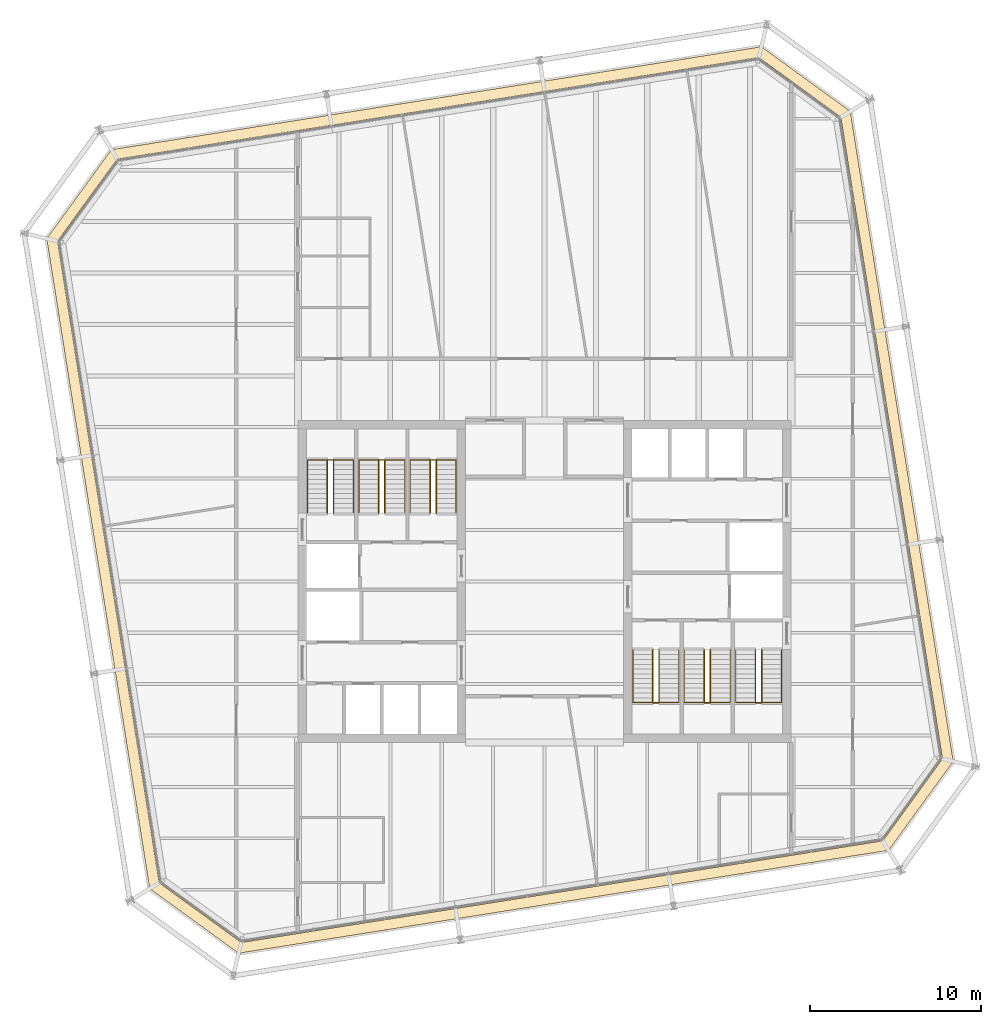
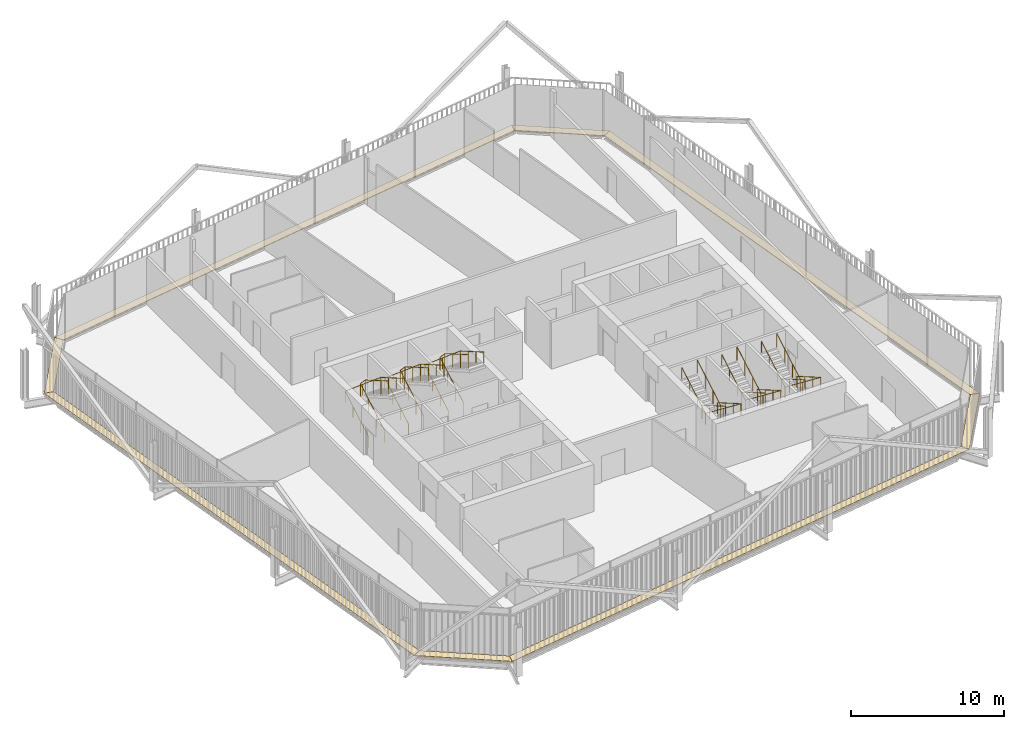
# One storey, part 21 of 21: 12 railings, 8 coverings.
"""IFC4 building model written with IfcOpenShell, lengths in metres."""

from ifc_helpers import new_model, si_unit, direction, frame, origin, origin_2d, place, context, subcontext, project, spatial, polyline, circle, outline, extrude, material, layer, layer_set, type_object, element, save


model = new_model("IFC4")

# Units and contexts
model_context = context("Model", 3, precision=1e-05, world=origin(), true_north=direction((0.0, 1.0)))
body_context = subcontext(model_context, "Body", "Model", "MODEL_VIEW")
ifc_project = project(units=[si_unit("LENGTHUNIT", "METRE"), si_unit("AREAUNIT", "SQUARE_METRE"), si_unit("VOLUMEUNIT", "CUBIC_METRE"), si_unit("PLANEANGLEUNIT", "RADIAN"), si_unit("MASSUNIT", "GRAM", prefix="KILO")], contexts=[model_context])

# Site, building, storey
site_placement = place(None, origin())
site = spatial("IfcSite", under=ifc_project, at=site_placement, CompositionType="ELEMENT")
building_placement = place(site_placement, origin())
building = spatial("IfcBuilding", under=site, at=building_placement, Name="Millrace Tower", CompositionType="ELEMENT")
storey_placement = place(building_placement, frame((0.0, 0.0, 220.300048828125)))
storey = spatial("IfcBuildingStorey", under=building, at=storey_placement, Name="L50", CompositionType="ELEMENT", Elevation=220.300048828125)

# Coverings
ifc_material_1 = material(Name="Steel ASTM A36", Category="steel")
ifc_layer = layer(ifc_material_1, 0.050048828125)
ifc_layer_set = layer_set([ifc_layer], Name="Steel ASTM A36")
covering_type = type_object("IfcCoveringType", Name="CAVITY CATWALK steel grating", PredefinedType="FLOORING", material=ifc_layer_set)
placement = place(storey_placement, frame((0.0, 0.0, 0.099853515625)))
element("IfcCovering", 1, at=placement, inside=storey, type_object=covering_type, Name="Cavity catwalk grating D-F01 L50 1", PredefinedType="FLOORING", context=body_context, shape_type="SweptSolid", body=[
    extrude(outline(polyline([(-23.052490234375, -17.939453125), (-17.85888671875, -21.712890625), (-17.707275390625, -21.081298828125), (-22.49853515625, -17.60009765625), (-23.052490234375, -17.939453125)])), origin(), (0.0, 0.0, 1.0), 0.050048828125),
])
element("IfcCovering", 2, at=placement, inside=storey, type_object=covering_type, Name="Cavity catwalk grating D-F02 L50 1", PredefinedType="FLOORING", context=body_context, shape_type="SweptSolid", body=[
    extrude(outline(polyline([(-17.85888671875, -21.712890625), (20.08935546875, -15.702392578125), (19.750244140625, -15.148681640625), (-17.707275390625, -21.081298828125), (-17.85888671875, -21.712890625)])), origin(), (0.0, 0.0, 1.0), 0.050048828125),
])
element("IfcCovering", 3, at=placement, inside=storey, type_object=covering_type, Name="Cavity catwalk grating D-F03 L50 1", PredefinedType="FLOORING", context=body_context, shape_type="SweptSolid", body=[
    extrude(outline(polyline([(20.08935546875, -15.702392578125), (23.86279296875, -10.5087890625), (23.231201171875, -10.357177734375), (19.750244140625, -15.148681640625), (20.08935546875, -15.702392578125)])), origin(), (0.0, 0.0, 1.0), 0.050048828125),
])
element("IfcCovering", 4, at=placement, inside=storey, type_object=covering_type, Name="Cavity catwalk grating D-F04 L50 1", PredefinedType="FLOORING", context=body_context, shape_type="SweptSolid", body=[
    extrude(outline(polyline([(23.86279296875, -10.5087890625), (17.852294921875, 27.439453125), (17.298583984375, 27.10009765625), (23.231201171875, -10.357177734375), (23.86279296875, -10.5087890625)])), origin(), (0.0, 0.0, 1.0), 0.050048828125),
])
element("IfcCovering", 5, at=placement, inside=storey, type_object=covering_type, Name="Cavity catwalk grating D-F05 L50 1", PredefinedType="FLOORING", context=body_context, shape_type="SweptSolid", body=[
    extrude(outline(polyline([(17.852294921875, 27.439453125), (12.658935546875, 31.212890625), (12.50732421875, 30.581298828125), (17.298583984375, 27.10009765625), (17.852294921875, 27.439453125)])), origin(), (0.0, 0.0, 1.0), 0.050048828125),
])
element("IfcCovering", 6, at=placement, inside=storey, type_object=covering_type, Name="Cavity catwalk grating D-F06 L50 1", PredefinedType="FLOORING", context=body_context, shape_type="SweptSolid", body=[
    extrude(outline(polyline([(12.658935546875, 31.212890625), (-25.28955078125, 25.202392578125), (-24.9501953125, 24.648681640625), (12.50732421875, 30.581298828125), (12.658935546875, 31.212890625)])), origin(), (0.0, 0.0, 1.0), 0.050048828125),
])
element("IfcCovering", 7, at=placement, inside=storey, type_object=covering_type, Name="Cavity catwalk grating D-F07 L50 1", PredefinedType="FLOORING", context=body_context, shape_type="SweptSolid", body=[
    extrude(outline(polyline([(-25.28955078125, 25.202392578125), (-29.062744140625, 20.0087890625), (-28.431396484375, 19.857177734375), (-24.9501953125, 24.648681640625), (-25.28955078125, 25.202392578125)])), origin(), (0.0, 0.0, 1.0), 0.050048828125),
])
element("IfcCovering", 8, at=placement, inside=storey, type_object=covering_type, Name="Cavity catwalk grating D-F08 L50 1", PredefinedType="FLOORING", context=body_context, shape_type="SweptSolid", body=[
    extrude(outline(polyline([(-29.062744140625, 20.0087890625), (-23.052490234375, -17.939453125), (-22.49853515625, -17.60009765625), (-28.431396484375, 19.857177734375), (-29.062744140625, 20.0087890625)])), origin(), (0.0, 0.0, 1.0), 0.050048828125),
])

# Railings
ifc_material_2 = material(Name="Stainless steel ASTM A240 type 316", Category="steel")
railing_type_1 = type_object("IfcRailingType", Name="Stair guard 1100", PredefinedType="GUARDRAIL", material=ifc_material_2)
for number, where, name in (
    (9, (-12.679931640625, 4.0, 0.162353515625), "Stair guard 1 W L50"),
    (10, (-9.679931640625, 4.0, 0.162353515625), "Stair guard 2 W L50"),
    (11, (-6.679931640625, 4.0, 0.162353515625), "Stair guard 3 W L50"),
):
    element("IfcRailing", number, at=place(storey_placement, frame(where)), inside=storey, type_object=railing_type_1, Name=name, PredefinedType="GUARDRAIL", context=body_context, shape_type="SweptSolid", body=[
        extrude(circle(Radius=0.02392578125, at=origin_2d()), frame((0.0, 0.0, 1.076171875), z_axis=(0.0, 0.864890721111, 0.501960198159), x_axis=(-1.0, 0.0, 0.0)), (0.0, 0.0, 1.0), 3.561279296875),
        extrude(circle(Radius=0.02392578125, at=origin_2d()), frame((0.0, 3.080078125, 2.86376953125), z_axis=(0.911295775139, 0.0, 0.411752365158), x_axis=(0.0, 1.0, 0.0)), (0.0, 0.0, 1.0), 0.394775390625),
        extrude(circle(Radius=0.02392578125, at=origin_2d()), frame((0.35986328125, 3.080078125, 3.0263671875), z_axis=(0.0, -0.864920483161, 0.501908913857), x_axis=(1.0, 0.0, 0.0)), (0.0, 0.0, 1.0), 3.56103515625),
        extrude(circle(Radius=0.02099609375, at=origin_2d()), origin(), (0.0, 0.0, 1.0), 1.052001953125),
        extrude(circle(Radius=0.02099609375, at=origin_2d()), frame((0.0, 1.026611328125, 0.595947265625)), (0.0, 0.0, 1.0), 1.052001953125),
        extrude(circle(Radius=0.02099609375, at=origin_2d()), frame((0.0, 2.053466796875, 1.191650390625)), (0.0, 0.0, 1.0), 1.052001953125),
        extrude(circle(Radius=0.02099609375, at=origin_2d()), frame((0.0, 3.080078125, 1.78759765625)), (0.0, 0.0, 1.0), 1.052001953125),
        extrude(circle(Radius=0.02099609375, at=origin_2d()), frame((0.35986328125, 3.080078125, 1.9501953125)), (0.0, 0.0, 1.0), 1.052001953125),
        extrude(circle(Radius=0.02099609375, at=origin_2d()), frame((0.35986328125, 2.053466796875, 2.5458984375)), (0.0, 0.0, 1.0), 1.052001953125),
        extrude(circle(Radius=0.02099609375, at=origin_2d()), frame((0.35986328125, 1.026611328125, 3.141845703125)), (0.0, 0.0, 1.0), 1.052001953125),
        extrude(circle(Radius=0.02099609375, at=origin_2d()), frame((0.35986328125, 0.0, 3.737548828125)), (0.0, 0.0, 1.0), 1.052001953125),
    ])
for number, where, name in (
    (12, (12.679931640625, -4.0, 0.162353515625), "Stair guard 1 E L50"),
    (13, (9.679931640625, -4.0, 0.162353515625), "Stair guard 2 E L50"),
    (14, (6.679931640625, -4.0, 0.162353515625), "Stair guard 3 E L50"),
):
    element("IfcRailing", number, at=place(storey_placement, frame(where)), inside=storey, type_object=railing_type_1, Name=name, PredefinedType="GUARDRAIL", context=body_context, shape_type="SweptSolid", body=[
        extrude(circle(Radius=0.02392578125, at=origin_2d()), frame((0.0, 0.0, 1.076171875), z_axis=(0.0, -0.864890721111, 0.501960198159), x_axis=(1.0, 0.0, 0.0)), (0.0, 0.0, 1.0), 3.561279296875),
        extrude(circle(Radius=0.02392578125, at=origin_2d()), frame((0.0, -3.080078125, 2.86376953125), z_axis=(-0.911295775139, 0.0, 0.411752365158), x_axis=(0.0, -1.0, 0.0)), (0.0, 0.0, 1.0), 0.394775390625),
        extrude(circle(Radius=0.02392578125, at=origin_2d()), frame((-0.35986328125, -3.080078125, 3.0263671875), z_axis=(0.0, 0.864920483161, 0.501908913857), x_axis=(-1.0, 0.0, 0.0)), (0.0, 0.0, 1.0), 3.56103515625),
        extrude(circle(Radius=0.02099609375, at=origin_2d()), origin(), (0.0, 0.0, 1.0), 1.052001953125),
        extrude(circle(Radius=0.02099609375, at=origin_2d()), frame((0.0, -1.026611328125, 0.595947265625)), (0.0, 0.0, 1.0), 1.052001953125),
        extrude(circle(Radius=0.02099609375, at=origin_2d()), frame((0.0, -2.053466796875, 1.191650390625)), (0.0, 0.0, 1.0), 1.052001953125),
        extrude(circle(Radius=0.02099609375, at=origin_2d()), frame((0.0, -3.080078125, 1.78759765625)), (0.0, 0.0, 1.0), 1.052001953125),
        extrude(circle(Radius=0.02099609375, at=origin_2d()), frame((-0.35986328125, -3.080078125, 1.9501953125)), (0.0, 0.0, 1.0), 1.052001953125),
        extrude(circle(Radius=0.02099609375, at=origin_2d()), frame((-0.35986328125, -2.053466796875, 2.5458984375)), (0.0, 0.0, 1.0), 1.052001953125),
        extrude(circle(Radius=0.02099609375, at=origin_2d()), frame((-0.35986328125, -1.026611328125, 3.141845703125)), (0.0, 0.0, 1.0), 1.052001953125),
        extrude(circle(Radius=0.02099609375, at=origin_2d()), frame((-0.35986328125, 0.0, 3.737548828125)), (0.0, 0.0, 1.0), 1.052001953125),
    ])
ifc_material_3 = material(Name="Stainless steel ASTM A240 type 316", Category="steel")
railing_type_2 = type_object("IfcRailingType", Name="Stair handrail 900", PredefinedType="HANDRAIL", material=ifc_material_3)
railing_1_placement = place(storey_placement, frame((-13.840087890625, 4.0, 0.162353515625)))
element("IfcRailing", 15, at=railing_1_placement, inside=storey, type_object=railing_type_2, Name="Stair handrail 1 W L50", PredefinedType="HANDRAIL", context=body_context, shape_type="SweptSolid", body=[
    extrude(circle(Radius=0.02392578125, at=origin_2d()), frame((0.0, 0.0, 0.8759765625), z_axis=(0.0, 0.864890721111, 0.501960198159), x_axis=(-1.0, 0.0, 0.0)), (0.0, 0.0, 1.0), 3.561279296875),
    extrude(circle(Radius=0.02392578125, at=origin_2d()), frame((0.0, 3.080078125, 2.66357421875), z_axis=(0.998164834547, 0.0, 0.060555454528), x_axis=(0.0, 1.0, 0.0)), (0.0, 0.0, 1.0), 2.68505859375),
    extrude(circle(Radius=0.02392578125, at=origin_2d()), frame((2.68017578125, 3.080078125, 2.826171875), z_axis=(0.0, -0.864920483161, 0.501908913857), x_axis=(1.0, 0.0, 0.0)), (0.0, 0.0, 1.0), 3.56103515625),
    extrude(circle(Radius=0.02099609375, at=origin_2d()), origin(), (0.0, 0.0, 1.0), 0.851806640625),
    extrude(circle(Radius=0.02099609375, at=origin_2d()), frame((0.0, 1.026611328125, 0.595947265625)), (0.0, 0.0, 1.0), 0.851806640625),
    extrude(circle(Radius=0.02099609375, at=origin_2d()), frame((0.0, 2.053466796875, 1.191650390625)), (0.0, 0.0, 1.0), 0.851806640625),
    extrude(circle(Radius=0.02099609375, at=origin_2d()), frame((0.0, 3.080078125, 1.78759765625)), (0.0, 0.0, 1.0), 0.851806640625),
    extrude(circle(Radius=0.02099609375, at=origin_2d()), frame((1.340087890625, 3.080078125, 1.868896484375)), (0.0, 0.0, 1.0), 0.851806640625),
    extrude(circle(Radius=0.02099609375, at=origin_2d()), frame((2.68017578125, 3.080078125, 1.9501953125)), (0.0, 0.0, 1.0), 0.851806640625),
    extrude(circle(Radius=0.02099609375, at=origin_2d()), frame((2.68017578125, 2.053466796875, 2.5458984375)), (0.0, 0.0, 1.0), 0.851806640625),
    extrude(circle(Radius=0.02099609375, at=origin_2d()), frame((2.68017578125, 1.026611328125, 3.141845703125)), (0.0, 0.0, 1.0), 0.851806640625),
    extrude(circle(Radius=0.02099609375, at=origin_2d()), frame((2.68017578125, 0.0, 3.737548828125)), (0.0, 0.0, 1.0), 0.851806640625),
])
railing_2_placement = place(storey_placement, frame((-10.840087890625, 4.0, 0.162353515625)))
element("IfcRailing", 16, at=railing_2_placement, inside=storey, type_object=railing_type_2, Name="Stair handrail 2 W L50", PredefinedType="HANDRAIL", context=body_context, shape_type="SweptSolid", body=[
    extrude(circle(Radius=0.02392578125, at=origin_2d()), frame((0.0, 0.0, 0.8759765625), z_axis=(0.0, 0.864890721111, 0.501960198159), x_axis=(-1.0, 0.0, 0.0)), (0.0, 0.0, 1.0), 3.561279296875),
    extrude(circle(Radius=0.02392578125, at=origin_2d()), frame((0.0, 3.080078125, 2.66357421875), z_axis=(0.998164834547, 0.0, 0.060555454528), x_axis=(0.0, 1.0, 0.0)), (0.0, 0.0, 1.0), 2.68505859375),
    extrude(circle(Radius=0.02392578125, at=origin_2d()), frame((2.68017578125, 3.080078125, 2.826171875), z_axis=(0.0, -0.864920483161, 0.501908913857), x_axis=(1.0, 0.0, 0.0)), (0.0, 0.0, 1.0), 3.56103515625),
    extrude(circle(Radius=0.02099609375, at=origin_2d()), origin(), (0.0, 0.0, 1.0), 0.851806640625),
    extrude(circle(Radius=0.02099609375, at=origin_2d()), frame((0.0, 1.026611328125, 0.595947265625)), (0.0, 0.0, 1.0), 0.851806640625),
    extrude(circle(Radius=0.02099609375, at=origin_2d()), frame((0.0, 2.053466796875, 1.191650390625)), (0.0, 0.0, 1.0), 0.851806640625),
    extrude(circle(Radius=0.02099609375, at=origin_2d()), frame((0.0, 3.080078125, 1.78759765625)), (0.0, 0.0, 1.0), 0.851806640625),
    extrude(circle(Radius=0.02099609375, at=origin_2d()), frame((1.340087890625, 3.080078125, 1.868896484375)), (0.0, 0.0, 1.0), 0.851806640625),
    extrude(circle(Radius=0.02099609375, at=origin_2d()), frame((2.68017578125, 3.080078125, 1.9501953125)), (0.0, 0.0, 1.0), 0.851806640625),
    extrude(circle(Radius=0.02099609375, at=origin_2d()), frame((2.68017578125, 2.053466796875, 2.5458984375)), (0.0, 0.0, 1.0), 0.851806640625),
    extrude(circle(Radius=0.02099609375, at=origin_2d()), frame((2.68017578125, 1.026611328125, 3.141845703125)), (0.0, 0.0, 1.0), 0.851806640625),
    extrude(circle(Radius=0.02099609375, at=origin_2d()), frame((2.68017578125, 0.0, 3.737548828125)), (0.0, 0.0, 1.0), 0.851806640625),
])
railing_3_placement = place(storey_placement, frame((-7.840087890625, 4.0, 0.162353515625)))
element("IfcRailing", 17, at=railing_3_placement, inside=storey, type_object=railing_type_2, Name="Stair handrail 3 W L50", PredefinedType="HANDRAIL", context=body_context, shape_type="SweptSolid", body=[
    extrude(circle(Radius=0.02392578125, at=origin_2d()), frame((0.0, 0.0, 0.8759765625), z_axis=(0.0, 0.864890721111, 0.501960198159), x_axis=(-1.0, 0.0, 0.0)), (0.0, 0.0, 1.0), 3.561279296875),
    extrude(circle(Radius=0.02392578125, at=origin_2d()), frame((0.0, 3.080078125, 2.66357421875), z_axis=(0.998164834547, 0.0, 0.060555454528), x_axis=(0.0, 1.0, 0.0)), (0.0, 0.0, 1.0), 2.68505859375),
    extrude(circle(Radius=0.02392578125, at=origin_2d()), frame((2.68017578125, 3.080078125, 2.826171875), z_axis=(0.0, -0.864920483161, 0.501908913857), x_axis=(1.0, 0.0, 0.0)), (0.0, 0.0, 1.0), 3.56103515625),
    extrude(circle(Radius=0.02099609375, at=origin_2d()), origin(), (0.0, 0.0, 1.0), 0.851806640625),
    extrude(circle(Radius=0.02099609375, at=origin_2d()), frame((0.0, 1.026611328125, 0.595947265625)), (0.0, 0.0, 1.0), 0.851806640625),
    extrude(circle(Radius=0.02099609375, at=origin_2d()), frame((0.0, 2.053466796875, 1.191650390625)), (0.0, 0.0, 1.0), 0.851806640625),
    extrude(circle(Radius=0.02099609375, at=origin_2d()), frame((0.0, 3.080078125, 1.78759765625)), (0.0, 0.0, 1.0), 0.851806640625),
    extrude(circle(Radius=0.02099609375, at=origin_2d()), frame((1.340087890625, 3.080078125, 1.868896484375)), (0.0, 0.0, 1.0), 0.851806640625),
    extrude(circle(Radius=0.02099609375, at=origin_2d()), frame((2.68017578125, 3.080078125, 1.9501953125)), (0.0, 0.0, 1.0), 0.851806640625),
    extrude(circle(Radius=0.02099609375, at=origin_2d()), frame((2.68017578125, 2.053466796875, 2.5458984375)), (0.0, 0.0, 1.0), 0.851806640625),
    extrude(circle(Radius=0.02099609375, at=origin_2d()), frame((2.68017578125, 1.026611328125, 3.141845703125)), (0.0, 0.0, 1.0), 0.851806640625),
    extrude(circle(Radius=0.02099609375, at=origin_2d()), frame((2.68017578125, 0.0, 3.737548828125)), (0.0, 0.0, 1.0), 0.851806640625),
])
railing_4_placement = place(storey_placement, frame((13.840087890625, -4.0, 0.162353515625)))
element("IfcRailing", 18, at=railing_4_placement, inside=storey, type_object=railing_type_2, Name="Stair handrail 1 E L50", PredefinedType="HANDRAIL", context=body_context, shape_type="SweptSolid", body=[
    extrude(circle(Radius=0.02392578125, at=origin_2d()), frame((0.0, 0.0, 0.8759765625), z_axis=(0.0, -0.864890721111, 0.501960198159), x_axis=(1.0, 0.0, 0.0)), (0.0, 0.0, 1.0), 3.561279296875),
    extrude(circle(Radius=0.02392578125, at=origin_2d()), frame((0.0, -3.080078125, 2.66357421875), z_axis=(-0.998164834547, 0.0, 0.060555454528), x_axis=(0.0, -1.0, 0.0)), (0.0, 0.0, 1.0), 2.68505859375),
    extrude(circle(Radius=0.02392578125, at=origin_2d()), frame((-2.68017578125, -3.080078125, 2.826171875), z_axis=(0.0, 0.864920483161, 0.501908913857), x_axis=(-1.0, 0.0, 0.0)), (0.0, 0.0, 1.0), 3.56103515625),
    extrude(circle(Radius=0.02099609375, at=origin_2d()), origin(), (0.0, 0.0, 1.0), 0.851806640625),
    extrude(circle(Radius=0.02099609375, at=origin_2d()), frame((0.0, -1.026611328125, 0.595947265625)), (0.0, 0.0, 1.0), 0.851806640625),
    extrude(circle(Radius=0.02099609375, at=origin_2d()), frame((0.0, -2.053466796875, 1.191650390625)), (0.0, 0.0, 1.0), 0.851806640625),
    extrude(circle(Radius=0.02099609375, at=origin_2d()), frame((0.0, -3.080078125, 1.78759765625)), (0.0, 0.0, 1.0), 0.851806640625),
    extrude(circle(Radius=0.02099609375, at=origin_2d()), frame((-1.340087890625, -3.080078125, 1.868896484375)), (0.0, 0.0, 1.0), 0.851806640625),
    extrude(circle(Radius=0.02099609375, at=origin_2d()), frame((-2.68017578125, -3.080078125, 1.9501953125)), (0.0, 0.0, 1.0), 0.851806640625),
    extrude(circle(Radius=0.02099609375, at=origin_2d()), frame((-2.68017578125, -2.053466796875, 2.5458984375)), (0.0, 0.0, 1.0), 0.851806640625),
    extrude(circle(Radius=0.02099609375, at=origin_2d()), frame((-2.68017578125, -1.026611328125, 3.141845703125)), (0.0, 0.0, 1.0), 0.851806640625),
    extrude(circle(Radius=0.02099609375, at=origin_2d()), frame((-2.68017578125, 0.0, 3.737548828125)), (0.0, 0.0, 1.0), 0.851806640625),
])
railing_5_placement = place(storey_placement, frame((10.840087890625, -4.0, 0.162353515625)))
element("IfcRailing", 19, at=railing_5_placement, inside=storey, type_object=railing_type_2, Name="Stair handrail 2 E L50", PredefinedType="HANDRAIL", context=body_context, shape_type="SweptSolid", body=[
    extrude(circle(Radius=0.02392578125, at=origin_2d()), frame((0.0, 0.0, 0.8759765625), z_axis=(0.0, -0.864890721111, 0.501960198159), x_axis=(1.0, 0.0, 0.0)), (0.0, 0.0, 1.0), 3.561279296875),
    extrude(circle(Radius=0.02392578125, at=origin_2d()), frame((0.0, -3.080078125, 2.66357421875), z_axis=(-0.998164834547, 0.0, 0.060555454528), x_axis=(0.0, -1.0, 0.0)), (0.0, 0.0, 1.0), 2.68505859375),
    extrude(circle(Radius=0.02392578125, at=origin_2d()), frame((-2.68017578125, -3.080078125, 2.826171875), z_axis=(0.0, 0.864920483161, 0.501908913857), x_axis=(-1.0, 0.0, 0.0)), (0.0, 0.0, 1.0), 3.56103515625),
    extrude(circle(Radius=0.02099609375, at=origin_2d()), origin(), (0.0, 0.0, 1.0), 0.851806640625),
    extrude(circle(Radius=0.02099609375, at=origin_2d()), frame((0.0, -1.026611328125, 0.595947265625)), (0.0, 0.0, 1.0), 0.851806640625),
    extrude(circle(Radius=0.02099609375, at=origin_2d()), frame((0.0, -2.053466796875, 1.191650390625)), (0.0, 0.0, 1.0), 0.851806640625),
    extrude(circle(Radius=0.02099609375, at=origin_2d()), frame((0.0, -3.080078125, 1.78759765625)), (0.0, 0.0, 1.0), 0.851806640625),
    extrude(circle(Radius=0.02099609375, at=origin_2d()), frame((-1.340087890625, -3.080078125, 1.868896484375)), (0.0, 0.0, 1.0), 0.851806640625),
    extrude(circle(Radius=0.02099609375, at=origin_2d()), frame((-2.68017578125, -3.080078125, 1.9501953125)), (0.0, 0.0, 1.0), 0.851806640625),
    extrude(circle(Radius=0.02099609375, at=origin_2d()), frame((-2.68017578125, -2.053466796875, 2.5458984375)), (0.0, 0.0, 1.0), 0.851806640625),
    extrude(circle(Radius=0.02099609375, at=origin_2d()), frame((-2.68017578125, -1.026611328125, 3.141845703125)), (0.0, 0.0, 1.0), 0.851806640625),
    extrude(circle(Radius=0.02099609375, at=origin_2d()), frame((-2.68017578125, 0.0, 3.737548828125)), (0.0, 0.0, 1.0), 0.851806640625),
])
railing_6_placement = place(storey_placement, frame((7.840087890625, -4.0, 0.162353515625)))
element("IfcRailing", 20, at=railing_6_placement, inside=storey, type_object=railing_type_2, Name="Stair handrail 3 E L50", PredefinedType="HANDRAIL", context=body_context, shape_type="SweptSolid", body=[
    extrude(circle(Radius=0.02392578125, at=origin_2d()), frame((0.0, 0.0, 0.8759765625), z_axis=(0.0, -0.864890721111, 0.501960198159), x_axis=(1.0, 0.0, 0.0)), (0.0, 0.0, 1.0), 3.561279296875),
    extrude(circle(Radius=0.02392578125, at=origin_2d()), frame((0.0, -3.080078125, 2.66357421875), z_axis=(-0.998164834547, 0.0, 0.060555454528), x_axis=(0.0, -1.0, 0.0)), (0.0, 0.0, 1.0), 2.68505859375),
    extrude(circle(Radius=0.02392578125, at=origin_2d()), frame((-2.68017578125, -3.080078125, 2.826171875), z_axis=(0.0, 0.864920483161, 0.501908913857), x_axis=(-1.0, 0.0, 0.0)), (0.0, 0.0, 1.0), 3.56103515625),
    extrude(circle(Radius=0.02099609375, at=origin_2d()), origin(), (0.0, 0.0, 1.0), 0.851806640625),
    extrude(circle(Radius=0.02099609375, at=origin_2d()), frame((0.0, -1.026611328125, 0.595947265625)), (0.0, 0.0, 1.0), 0.851806640625),
    extrude(circle(Radius=0.02099609375, at=origin_2d()), frame((0.0, -2.053466796875, 1.191650390625)), (0.0, 0.0, 1.0), 0.851806640625),
    extrude(circle(Radius=0.02099609375, at=origin_2d()), frame((0.0, -3.080078125, 1.78759765625)), (0.0, 0.0, 1.0), 0.851806640625),
    extrude(circle(Radius=0.02099609375, at=origin_2d()), frame((-1.340087890625, -3.080078125, 1.868896484375)), (0.0, 0.0, 1.0), 0.851806640625),
    extrude(circle(Radius=0.02099609375, at=origin_2d()), frame((-2.68017578125, -3.080078125, 1.9501953125)), (0.0, 0.0, 1.0), 0.851806640625),
    extrude(circle(Radius=0.02099609375, at=origin_2d()), frame((-2.68017578125, -2.053466796875, 2.5458984375)), (0.0, 0.0, 1.0), 0.851806640625),
    extrude(circle(Radius=0.02099609375, at=origin_2d()), frame((-2.68017578125, -1.026611328125, 3.141845703125)), (0.0, 0.0, 1.0), 0.851806640625),
    extrude(circle(Radius=0.02099609375, at=origin_2d()), frame((-2.68017578125, 0.0, 3.737548828125)), (0.0, 0.0, 1.0), 0.851806640625),
])

save(model, "model.ifc")
